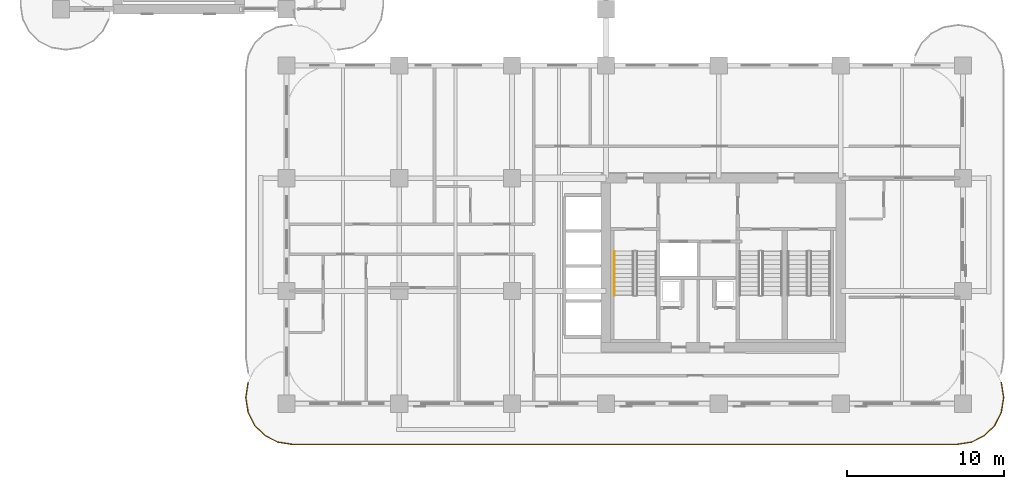
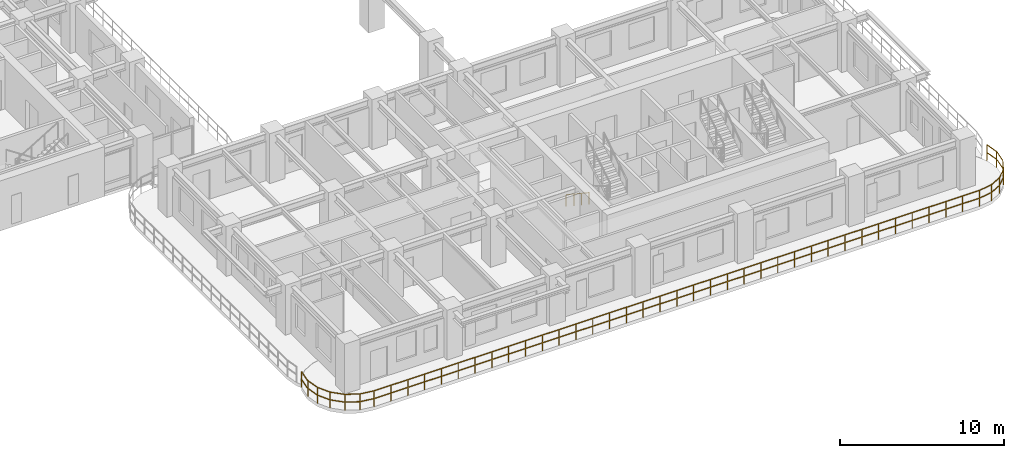
# One storey, part 14 of 19: 2 railings.
"""IFC4 building model written with IfcOpenShell, lengths in metres."""

from ifc_helpers import new_model, si_unit, derived_unit, direction, frame, origin, origin_2d, place, context, subcontext, project, spatial, rectangle, extrude, material, type_object, element, save


model = new_model("IFC4")

# Units and contexts
model_context = context("Model", 3, precision=1e-05, world=origin(), true_north=direction((0.0, 1.0)))
body_context = subcontext(model_context, "Body", "Model", "MODEL_VIEW")
ifc_project = project(units=[si_unit("LENGTHUNIT", "METRE"), si_unit("AREAUNIT", "SQUARE_METRE"), si_unit("VOLUMEUNIT", "CUBIC_METRE"), si_unit("PLANEANGLEUNIT", "RADIAN"), si_unit("MASSUNIT", "GRAM", prefix="KILO"), si_unit("THERMODYNAMICTEMPERATUREUNIT", "KELVIN"), si_unit("POWERUNIT", "WATT"), derived_unit("THERMALTRANSMITTANCEUNIT", [(si_unit("POWERUNIT", "WATT"), 1), (si_unit("AREAUNIT", "SQUARE_METRE"), -1), (si_unit("THERMODYNAMICTEMPERATUREUNIT", "KELVIN"), -1)])], contexts=[model_context])

# Site, building, storey
site_placement = place(None, origin())
site = spatial("IfcSite", under=ifc_project, at=site_placement, CompositionType="ELEMENT")
building_placement = place(site_placement, origin())
building = spatial("IfcBuilding", under=site, at=building_placement, Name="Zahravan Archway Hotel and Residences", CompositionType="ELEMENT")
storey_placement = place(building_placement, frame((0.0, 0.0, 62.0)))
storey = spatial("IfcBuildingStorey", under=building, at=storey_placement, Name="L14", CompositionType="ELEMENT", Elevation=62.0)

# Railings
ifc_material_1 = material(Name="Bronze & Laminated Glass Balustrade", Category="glass")
railing_type_1 = type_object("IfcRailingType", Name="RL-BAL-1200", PredefinedType="BALUSTRADE", material=ifc_material_1)
railing_1_placement = place(storey_placement, frame((60.0556640625, 1.361572265625, 0.0)))
element("IfcRailing", 1, at=railing_1_placement, inside=storey, type_object=railing_type_1, Name="L14 Balustrade RL-SLB-BAL-L14-SA-1", PredefinedType="BALUSTRADE", context=body_context, shape_type="SweptSolid", body=[
    extrude(rectangle(XDim=0.048095703125, YDim=0.048095703125, at=origin_2d()), frame((0.0, 0.0, 1.17578125), z_axis=(0.156329311416, -0.987704989555, 0.0), x_axis=(0.987704989555, 0.156329311416, 0.0)), (0.0, 0.0, 1.0), 0.9228515625),
    extrude(rectangle(XDim=0.048095703125, YDim=0.048095703125, at=origin_2d()), frame((0.0, 0.0, 0.60009765625), z_axis=(0.156329311416, -0.987704989555, 0.0), x_axis=(0.987704989555, 0.156329311416, 0.0)), (0.0, 0.0, 1.0), 0.9228515625),
    extrude(rectangle(XDim=0.048095703125, YDim=0.048095703125, at=origin_2d()), frame((0.144287109375, -0.91162109375, 1.17578125), z_axis=(0.0, -1.0, 0.0), x_axis=(1.0, 0.0, 0.0)), (0.0, 0.0, 1.0), 0.099853515625),
    extrude(rectangle(XDim=0.048095703125, YDim=0.048095703125, at=origin_2d()), frame((0.144287109375, -0.91162109375, 0.60009765625), z_axis=(0.0, -1.0, 0.0), x_axis=(1.0, 0.0, 0.0)), (0.0, 0.0, 1.0), 0.099853515625),
    extrude(rectangle(XDim=0.048095703125, YDim=0.048095703125, at=origin_2d()), frame((0.144287109375, -1.011474609375, 1.17578125), z_axis=(-0.156329311416, -0.987704989555, 0.0), x_axis=(0.987704989555, -0.156329311416, 0.0)), (0.0, 0.0, 1.0), 0.9228515625),
    extrude(rectangle(XDim=0.048095703125, YDim=0.048095703125, at=origin_2d()), frame((0.144287109375, -1.011474609375, 0.60009765625), z_axis=(-0.156329311416, -0.987704989555, 0.0), x_axis=(0.987704989555, -0.156329311416, 0.0)), (0.0, 0.0, 1.0), 0.9228515625),
    extrude(rectangle(XDim=0.048095703125, YDim=0.048095703125, at=origin_2d()), frame((0.0, -1.923095703125, 1.17578125), z_axis=(-0.453866348456, -0.891069771532, 0.0), x_axis=(0.891069771532, -0.453866348456, 0.0)), (0.0, 0.0, 1.0), 0.923095703125),
    extrude(rectangle(XDim=0.048095703125, YDim=0.048095703125, at=origin_2d()), frame((0.0, -1.923095703125, 0.60009765625), z_axis=(-0.453866348456, -0.891069771532, 0.0), x_axis=(0.891069771532, -0.453866348456, 0.0)), (0.0, 0.0, 1.0), 0.923095703125),
    extrude(rectangle(XDim=0.048095703125, YDim=0.048095703125, at=origin_2d()), frame((-0.4189453125, -2.74560546875, 1.17578125), z_axis=(-0.707239012465, -0.706974525176, 0.0), x_axis=(0.706974525176, -0.707239012465, 0.0)), (0.0, 0.0, 1.0), 0.923095703125),
    extrude(rectangle(XDim=0.048095703125, YDim=0.048095703125, at=origin_2d()), frame((-0.4189453125, -2.74560546875, 0.60009765625), z_axis=(-0.707239012465, -0.706974525176, 0.0), x_axis=(0.706974525176, -0.707239012465, 0.0)), (0.0, 0.0, 1.0), 0.923095703125),
    extrude(rectangle(XDim=0.048095703125, YDim=0.048095703125, at=origin_2d()), frame((-1.07177734375, -3.398193359375, 1.17578125), z_axis=(-0.891015268556, -0.453973337542, 0.0), x_axis=(0.453973337542, -0.891015268556, 0.0)), (0.0, 0.0, 1.0), 0.9228515625),
    extrude(rectangle(XDim=0.048095703125, YDim=0.048095703125, at=origin_2d()), frame((-1.07177734375, -3.398193359375, 0.60009765625), z_axis=(-0.891015268556, -0.453973337542, 0.0), x_axis=(0.453973337542, -0.891015268556, 0.0)), (0.0, 0.0, 1.0), 0.9228515625),
    extrude(rectangle(XDim=0.048095703125, YDim=0.048095703125, at=origin_2d()), frame((-1.89404296875, -3.817138671875, 1.17578125), z_axis=(-0.98766411426, -0.156587347521, 0.0), x_axis=(0.156587347521, -0.98766411426, 0.0)), (0.0, 0.0, 1.0), 0.923095703125),
    extrude(rectangle(XDim=0.048095703125, YDim=0.048095703125, at=origin_2d()), frame((-1.89404296875, -3.817138671875, 0.60009765625), z_axis=(-0.98766411426, -0.156587347521, 0.0), x_axis=(0.156587347521, -0.98766411426, 0.0)), (0.0, 0.0, 1.0), 0.923095703125),
    extrude(rectangle(XDim=0.048095703125, YDim=0.048095703125, at=origin_2d()), frame((-2.8056640625, -3.961669921875, 1.17578125), z_axis=(-1.0, 0.0, 0.0), x_axis=(0.0, -1.0, 0.0)), (0.0, 0.0, 1.0), 42.5),
    extrude(rectangle(XDim=0.048095703125, YDim=0.048095703125, at=origin_2d()), frame((-2.8056640625, -3.961669921875, 0.60009765625), z_axis=(-1.0, 0.0, 0.0), x_axis=(0.0, -1.0, 0.0)), (0.0, 0.0, 1.0), 42.5),
    extrude(rectangle(XDim=0.048095703125, YDim=0.048095703125, at=origin_2d()), frame((-45.3056640625, -3.961669921875, 1.17578125), z_axis=(-0.98766411426, 0.156587347521, 0.0), x_axis=(-0.156587347521, -0.98766411426, 0.0)), (0.0, 0.0, 1.0), 0.923095703125),
    extrude(rectangle(XDim=0.048095703125, YDim=0.048095703125, at=origin_2d()), frame((-45.3056640625, -3.961669921875, 0.60009765625), z_axis=(-0.98766411426, 0.156587347521, 0.0), x_axis=(-0.156587347521, -0.98766411426, 0.0)), (0.0, 0.0, 1.0), 0.923095703125),
    extrude(rectangle(XDim=0.048095703125, YDim=0.048095703125, at=origin_2d()), frame((-46.21728515625, -3.817138671875, 1.17578125), z_axis=(-0.891015268556, 0.453973337542, 0.0), x_axis=(-0.453973337542, -0.891015268556, 0.0)), (0.0, 0.0, 1.0), 0.9228515625),
    extrude(rectangle(XDim=0.048095703125, YDim=0.048095703125, at=origin_2d()), frame((-46.21728515625, -3.817138671875, 0.60009765625), z_axis=(-0.891015268556, 0.453973337542, 0.0), x_axis=(-0.453973337542, -0.891015268556, 0.0)), (0.0, 0.0, 1.0), 0.9228515625),
    extrude(rectangle(XDim=0.048095703125, YDim=0.048095703125, at=origin_2d()), frame((-47.03955078125, -3.398193359375, 1.17578125), z_axis=(-0.707239012465, 0.706974525176, 0.0), x_axis=(-0.706974525176, -0.707239012465, 0.0)), (0.0, 0.0, 1.0), 0.923095703125),
    extrude(rectangle(XDim=0.048095703125, YDim=0.048095703125, at=origin_2d()), frame((-47.03955078125, -3.398193359375, 0.60009765625), z_axis=(-0.707239012465, 0.706974525176, 0.0), x_axis=(-0.706974525176, -0.707239012465, 0.0)), (0.0, 0.0, 1.0), 0.923095703125),
    extrude(rectangle(XDim=0.048095703125, YDim=0.048095703125, at=origin_2d()), frame((-47.6923828125, -2.74560546875, 1.17578125), z_axis=(-0.453866348456, 0.891069771532, 0.0), x_axis=(-0.891069771532, -0.453866348456, 0.0)), (0.0, 0.0, 1.0), 0.923095703125),
    extrude(rectangle(XDim=0.048095703125, YDim=0.048095703125, at=origin_2d()), frame((-47.6923828125, -2.74560546875, 0.60009765625), z_axis=(-0.453866348456, 0.891069771532, 0.0), x_axis=(-0.891069771532, -0.453866348456, 0.0)), (0.0, 0.0, 1.0), 0.923095703125),
    extrude(rectangle(XDim=0.048095703125, YDim=0.048095703125, at=origin_2d()), frame((-48.111328125, -1.923095703125, 1.17578125), z_axis=(-0.156329311416, 0.987704989555, 0.0), x_axis=(-0.987704989555, -0.156329311416, 0.0)), (0.0, 0.0, 1.0), 0.9228515625),
    extrude(rectangle(XDim=0.048095703125, YDim=0.048095703125, at=origin_2d()), frame((-48.111328125, -1.923095703125, 0.60009765625), z_axis=(-0.156329311416, 0.987704989555, 0.0), x_axis=(-0.987704989555, -0.156329311416, 0.0)), (0.0, 0.0, 1.0), 0.9228515625),
    extrude(rectangle(XDim=0.048095703125, YDim=0.048095703125, at=origin_2d()), frame((-48.255615234375, -1.011474609375, 1.17578125), z_axis=(0.0, 1.0, 0.0), x_axis=(-1.0, 0.0, 0.0)), (0.0, 0.0, 1.0), 0.099853515625),
    extrude(rectangle(XDim=0.048095703125, YDim=0.048095703125, at=origin_2d()), frame((-48.255615234375, -1.011474609375, 0.60009765625), z_axis=(0.0, 1.0, 0.0), x_axis=(-1.0, 0.0, 0.0)), (0.0, 0.0, 1.0), 0.099853515625),
    extrude(rectangle(XDim=0.048095703125, YDim=0.048095703125, at=origin_2d()), frame((-48.255615234375, -0.91162109375, 1.17578125), z_axis=(0.156329311416, 0.987704989555, 0.0), x_axis=(-0.987704989555, 0.156329311416, 0.0)), (0.0, 0.0, 1.0), 0.9228515625),
    extrude(rectangle(XDim=0.048095703125, YDim=0.048095703125, at=origin_2d()), frame((-48.255615234375, -0.91162109375, 0.60009765625), z_axis=(0.156329311416, 0.987704989555, 0.0), x_axis=(-0.987704989555, 0.156329311416, 0.0)), (0.0, 0.0, 1.0), 0.9228515625),
    extrude(rectangle(XDim=0.0419921875, YDim=0.0419921875, at=origin_2d()), origin(), (0.0, 0.0, 1.0), 1.15185546875),
    extrude(rectangle(XDim=0.0419921875, YDim=0.0419921875, at=origin_2d()), frame((0.144287109375, -0.91162109375, 0.0)), (0.0, 0.0, 1.0), 1.15185546875),
    extrude(rectangle(XDim=0.0419921875, YDim=0.0419921875, at=origin_2d()), frame((0.0, -1.923095703125, 0.0)), (0.0, 0.0, 1.0), 1.15185546875),
    extrude(rectangle(XDim=0.0419921875, YDim=0.0419921875, at=origin_2d()), frame((-0.4189453125, -2.74560546875, 0.0)), (0.0, 0.0, 1.0), 1.15185546875),
    extrude(rectangle(XDim=0.0419921875, YDim=0.0419921875, at=origin_2d()), frame((-1.07177734375, -3.398193359375, 0.0)), (0.0, 0.0, 1.0), 1.15185546875),
    extrude(rectangle(XDim=0.0419921875, YDim=0.0419921875, at=origin_2d()), frame((-1.89404296875, -3.817138671875, 0.0)), (0.0, 0.0, 1.0), 1.15185546875),
    extrude(rectangle(XDim=0.0419921875, YDim=0.0419921875, at=origin_2d()), frame((-2.8056640625, -3.961669921875, 0.0)), (0.0, 0.0, 1.0), 1.15185546875),
    extrude(rectangle(XDim=0.0419921875, YDim=0.0419921875, at=origin_2d()), frame((-3.986328125, -3.961669921875, 0.0)), (0.0, 0.0, 1.0), 1.15185546875),
    extrude(rectangle(XDim=0.0419921875, YDim=0.0419921875, at=origin_2d()), frame((-5.166748046875, -3.961669921875, 0.0)), (0.0, 0.0, 1.0), 1.15185546875),
    extrude(rectangle(XDim=0.0419921875, YDim=0.0419921875, at=origin_2d()), frame((-6.347412109375, -3.961669921875, 0.0)), (0.0, 0.0, 1.0), 1.15185546875),
    extrude(rectangle(XDim=0.0419921875, YDim=0.0419921875, at=origin_2d()), frame((-7.52783203125, -3.961669921875, 0.0)), (0.0, 0.0, 1.0), 1.15185546875),
    extrude(rectangle(XDim=0.0419921875, YDim=0.0419921875, at=origin_2d()), frame((-8.70849609375, -3.961669921875, 0.0)), (0.0, 0.0, 1.0), 1.15185546875),
    extrude(rectangle(XDim=0.0419921875, YDim=0.0419921875, at=origin_2d()), frame((-9.888916015625, -3.961669921875, 0.0)), (0.0, 0.0, 1.0), 1.15185546875),
    extrude(rectangle(XDim=0.0419921875, YDim=0.0419921875, at=origin_2d()), frame((-11.069580078125, -3.961669921875, 0.0)), (0.0, 0.0, 1.0), 1.15185546875),
    extrude(rectangle(XDim=0.0419921875, YDim=0.0419921875, at=origin_2d()), frame((-12.25, -3.961669921875, 0.0)), (0.0, 0.0, 1.0), 1.15185546875),
    extrude(rectangle(XDim=0.0419921875, YDim=0.0419921875, at=origin_2d()), frame((-13.4306640625, -3.961669921875, 0.0)), (0.0, 0.0, 1.0), 1.15185546875),
    extrude(rectangle(XDim=0.0419921875, YDim=0.0419921875, at=origin_2d()), frame((-14.611328125, -3.961669921875, 0.0)), (0.0, 0.0, 1.0), 1.15185546875),
    extrude(rectangle(XDim=0.0419921875, YDim=0.0419921875, at=origin_2d()), frame((-15.791748046875, -3.961669921875, 0.0)), (0.0, 0.0, 1.0), 1.15185546875),
    extrude(rectangle(XDim=0.0419921875, YDim=0.0419921875, at=origin_2d()), frame((-16.972412109375, -3.961669921875, 0.0)), (0.0, 0.0, 1.0), 1.15185546875),
    extrude(rectangle(XDim=0.0419921875, YDim=0.0419921875, at=origin_2d()), frame((-18.15283203125, -3.961669921875, 0.0)), (0.0, 0.0, 1.0), 1.15185546875),
    extrude(rectangle(XDim=0.0419921875, YDim=0.0419921875, at=origin_2d()), frame((-19.33349609375, -3.961669921875, 0.0)), (0.0, 0.0, 1.0), 1.15185546875),
    extrude(rectangle(XDim=0.0419921875, YDim=0.0419921875, at=origin_2d()), frame((-20.513916015625, -3.961669921875, 0.0)), (0.0, 0.0, 1.0), 1.15185546875),
    extrude(rectangle(XDim=0.0419921875, YDim=0.0419921875, at=origin_2d()), frame((-21.694580078125, -3.961669921875, 0.0)), (0.0, 0.0, 1.0), 1.15185546875),
    extrude(rectangle(XDim=0.0419921875, YDim=0.0419921875, at=origin_2d()), frame((-22.875, -3.961669921875, 0.0)), (0.0, 0.0, 1.0), 1.15185546875),
    extrude(rectangle(XDim=0.0419921875, YDim=0.0419921875, at=origin_2d()), frame((-24.0556640625, -3.961669921875, 0.0)), (0.0, 0.0, 1.0), 1.15185546875),
    extrude(rectangle(XDim=0.0419921875, YDim=0.0419921875, at=origin_2d()), frame((-25.236328125, -3.961669921875, 0.0)), (0.0, 0.0, 1.0), 1.15185546875),
    extrude(rectangle(XDim=0.0419921875, YDim=0.0419921875, at=origin_2d()), frame((-26.416748046875, -3.961669921875, 0.0)), (0.0, 0.0, 1.0), 1.15185546875),
    extrude(rectangle(XDim=0.0419921875, YDim=0.0419921875, at=origin_2d()), frame((-27.597412109375, -3.961669921875, 0.0)), (0.0, 0.0, 1.0), 1.15185546875),
    extrude(rectangle(XDim=0.0419921875, YDim=0.0419921875, at=origin_2d()), frame((-28.77783203125, -3.961669921875, 0.0)), (0.0, 0.0, 1.0), 1.15185546875),
    extrude(rectangle(XDim=0.0419921875, YDim=0.0419921875, at=origin_2d()), frame((-29.95849609375, -3.961669921875, 0.0)), (0.0, 0.0, 1.0), 1.15185546875),
    extrude(rectangle(XDim=0.0419921875, YDim=0.0419921875, at=origin_2d()), frame((-31.138916015625, -3.961669921875, 0.0)), (0.0, 0.0, 1.0), 1.15185546875),
    extrude(rectangle(XDim=0.0419921875, YDim=0.0419921875, at=origin_2d()), frame((-32.319580078125, -3.961669921875, 0.0)), (0.0, 0.0, 1.0), 1.15185546875),
    extrude(rectangle(XDim=0.0419921875, YDim=0.0419921875, at=origin_2d()), frame((-33.5, -3.961669921875, 0.0)), (0.0, 0.0, 1.0), 1.15185546875),
    extrude(rectangle(XDim=0.0419921875, YDim=0.0419921875, at=origin_2d()), frame((-34.6806640625, -3.961669921875, 0.0)), (0.0, 0.0, 1.0), 1.15185546875),
    extrude(rectangle(XDim=0.0419921875, YDim=0.0419921875, at=origin_2d()), frame((-35.861328125, -3.961669921875, 0.0)), (0.0, 0.0, 1.0), 1.15185546875),
    extrude(rectangle(XDim=0.0419921875, YDim=0.0419921875, at=origin_2d()), frame((-37.041748046875, -3.961669921875, 0.0)), (0.0, 0.0, 1.0), 1.15185546875),
    extrude(rectangle(XDim=0.0419921875, YDim=0.0419921875, at=origin_2d()), frame((-38.222412109375, -3.961669921875, 0.0)), (0.0, 0.0, 1.0), 1.15185546875),
    extrude(rectangle(XDim=0.0419921875, YDim=0.0419921875, at=origin_2d()), frame((-39.40283203125, -3.961669921875, 0.0)), (0.0, 0.0, 1.0), 1.15185546875),
    extrude(rectangle(XDim=0.0419921875, YDim=0.0419921875, at=origin_2d()), frame((-40.58349609375, -3.961669921875, 0.0)), (0.0, 0.0, 1.0), 1.15185546875),
    extrude(rectangle(XDim=0.0419921875, YDim=0.0419921875, at=origin_2d()), frame((-41.763916015625, -3.961669921875, 0.0)), (0.0, 0.0, 1.0), 1.15185546875),
    extrude(rectangle(XDim=0.0419921875, YDim=0.0419921875, at=origin_2d()), frame((-42.944580078125, -3.961669921875, 0.0)), (0.0, 0.0, 1.0), 1.15185546875),
    extrude(rectangle(XDim=0.0419921875, YDim=0.0419921875, at=origin_2d()), frame((-44.125, -3.961669921875, 0.0)), (0.0, 0.0, 1.0), 1.15185546875),
    extrude(rectangle(XDim=0.0419921875, YDim=0.0419921875, at=origin_2d()), frame((-45.3056640625, -3.961669921875, 0.0)), (0.0, 0.0, 1.0), 1.15185546875),
    extrude(rectangle(XDim=0.0419921875, YDim=0.0419921875, at=origin_2d()), frame((-46.21728515625, -3.817138671875, 0.0)), (0.0, 0.0, 1.0), 1.15185546875),
    extrude(rectangle(XDim=0.0419921875, YDim=0.0419921875, at=origin_2d()), frame((-47.03955078125, -3.398193359375, 0.0)), (0.0, 0.0, 1.0), 1.15185546875),
    extrude(rectangle(XDim=0.0419921875, YDim=0.0419921875, at=origin_2d()), frame((-47.6923828125, -2.74560546875, 0.0)), (0.0, 0.0, 1.0), 1.15185546875),
    extrude(rectangle(XDim=0.0419921875, YDim=0.0419921875, at=origin_2d()), frame((-48.111328125, -1.923095703125, 0.0)), (0.0, 0.0, 1.0), 1.15185546875),
    extrude(rectangle(XDim=0.0419921875, YDim=0.0419921875, at=origin_2d()), frame((-48.255615234375, -1.011474609375, 0.0)), (0.0, 0.0, 1.0), 1.15185546875),
    extrude(rectangle(XDim=0.0419921875, YDim=0.0419921875, at=origin_2d()), frame((-48.111328125, 0.0, 0.0)), (0.0, 0.0, 1.0), 1.15185546875),
])
ifc_material_2 = material(Name="Brushed Stainless Steel", Category="steel")
railing_type_2 = type_object("IfcRailingType", Name="RL-STH-900", PredefinedType="HANDRAIL", material=ifc_material_2)
railing_2_placement = place(storey_placement, frame((35.35009765625, 9.72998046875, 0.168212890625)))
element("IfcRailing", 2, at=railing_2_placement, inside=storey, type_object=railing_type_2, Name="L14 ST-A1 stair handrail 1", PredefinedType="HANDRAIL", context=body_context, shape_type="SweptSolid", body=[
    extrude(rectangle(XDim=0.048095703125, YDim=0.048095703125, at=origin_2d()), frame((0.0, 0.0, 0.8759765625), z_axis=(0.0, -0.83435981716, 0.551220187865), x_axis=(1.0, 0.0, 0.0)), (0.0, 0.0, 1.0), 3.35595703125),
    extrude(rectangle(XDim=0.0419921875, YDim=0.0419921875, at=origin_2d()), origin(), (0.0, 0.0, 1.0), 0.851806640625),
    extrude(rectangle(XDim=0.0419921875, YDim=0.0419921875, at=origin_2d()), frame((0.0, -0.933349609375, 0.61669921875)), (0.0, 0.0, 1.0), 0.851806640625),
    extrude(rectangle(XDim=0.0419921875, YDim=0.0419921875, at=origin_2d()), frame((0.0, -1.86669921875, 1.233154296875)), (0.0, 0.0, 1.0), 0.851806640625),
    extrude(rectangle(XDim=0.0419921875, YDim=0.0419921875, at=origin_2d()), frame((0.0, -2.800048828125, 1.849853515625)), (0.0, 0.0, 1.0), 0.851806640625),
])

save(model, "model.ifc")
